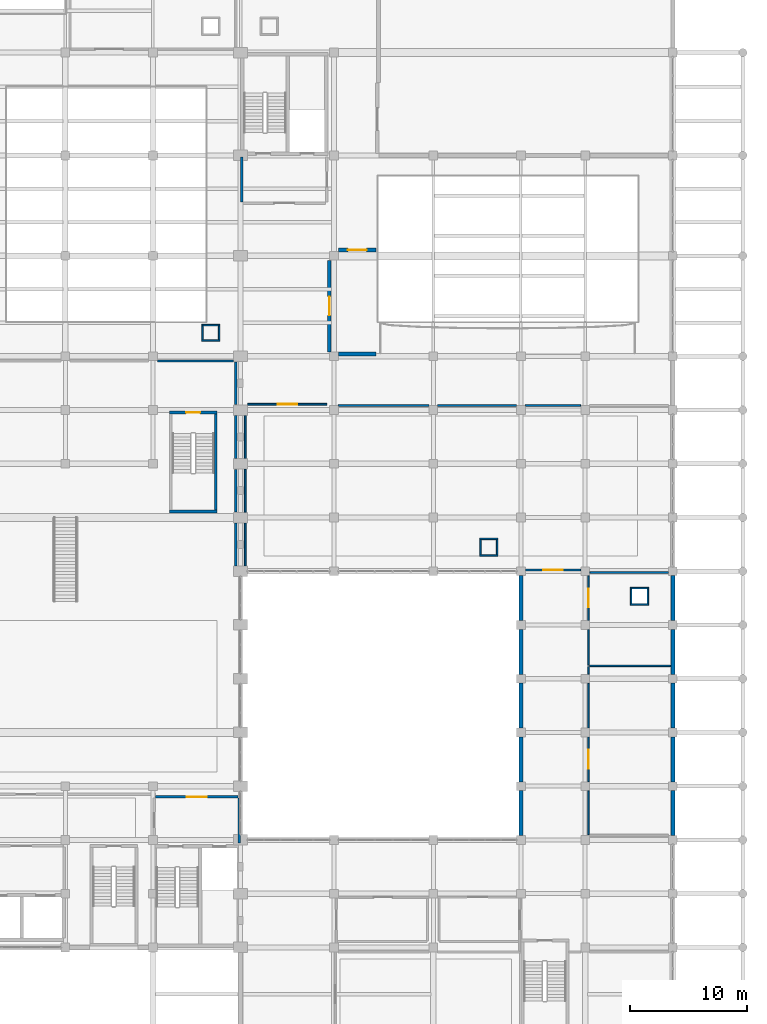
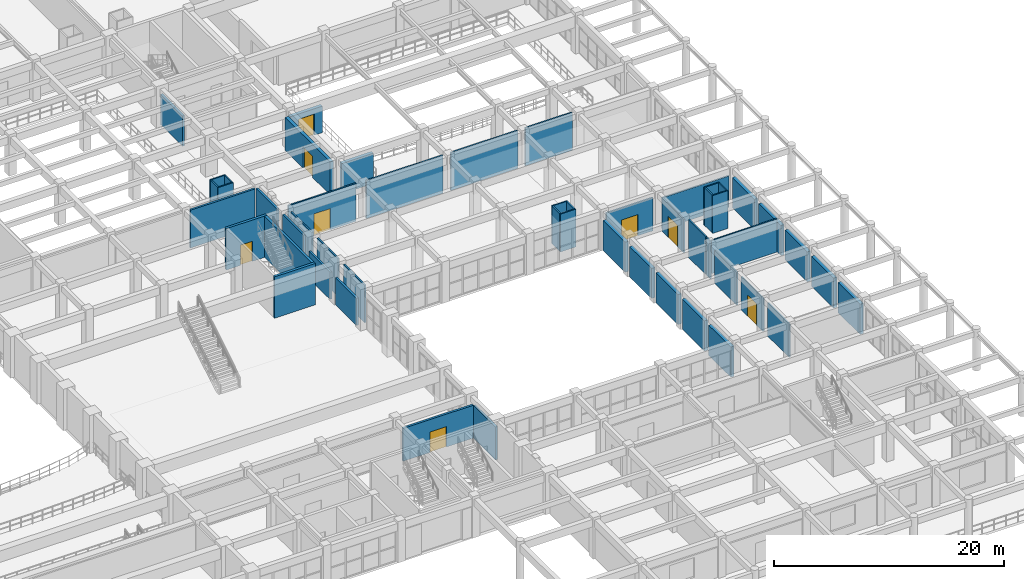
# One storey, part 102 of 116: 52 walls, 8 doors, 8 openings.
"""IFC4 building model written with IfcOpenShell, lengths in metres."""

from ifc_helpers import new_model, si_unit, direction, frame, frame_2d, origin, place, context, subcontext, project, spatial, rectangle, extrude, material, layer, layer_set, type_object, element, fill, save


model = new_model("IFC4")

# Units and contexts
model_context = context("Model", 3, precision=1e-05, world=origin(), true_north=direction((0.0, 1.0)))
body_context = subcontext(model_context, "Body", "Model", "MODEL_VIEW")
ifc_project = project(units=[si_unit("LENGTHUNIT", "METRE"), si_unit("AREAUNIT", "SQUARE_METRE"), si_unit("VOLUMEUNIT", "CUBIC_METRE"), si_unit("PLANEANGLEUNIT", "RADIAN"), si_unit("MASSUNIT", "GRAM", prefix="KILO")], contexts=[model_context])

# Site, building, storey
site_placement = place(None, origin())
site = spatial("IfcSite", under=ifc_project, at=site_placement, CompositionType="ELEMENT")
building_placement = place(site_placement, origin())
building = spatial("IfcBuilding", under=site, at=building_placement, Name="Muzn Square Opera House", CompositionType="ELEMENT")
storey_placement = place(building_placement, frame((0.0, 0.0, 5.39990234375)))
storey = spatial("IfcBuildingStorey", under=building, at=storey_placement, Name="L01", CompositionType="ELEMENT", Elevation=5.39990234375)

# Wall, opening, door
ifc_material_1 = material(Name="Acoustic gypsum stud partition", Category="gypsum")
ifc_layer_1 = layer(ifc_material_1, 0.320068359375, Name="Acoustic gypsum stud partition", Category="gypsum")
ifc_layer_set_1 = layer_set([ifc_layer_1], Name="Acoustic gypsum stud partition")
wall_type_1 = type_object("IfcWallType", Name="Acoustic Studio Double Wall 320mm", PredefinedType="PARTITIONING", material=ifc_layer_set_1)
wall_1_placement = place(storey_placement, frame((140.60009765625, 72.97998046875, 0.0), z_axis=(0.0, 0.0, 1.0), x_axis=(0.0, 1.0, 0.0)))
wall_1 = element("IfcWall", 1, at=wall_1_placement, inside=storey, type_object=wall_type_1, Name="Interior Partition PW-L01-0172", PredefinedType="PARTITIONING", context=body_context, shape_type="SweptSolid", body=[
    extrude(rectangle(XDim=7.840087890625, YDim=0.320068359375, at=frame_2d((3.919921875, 0.0))), origin(), (0.0, 0.0, 1.0), 3.52001953125),
])
opening_1_placement = place(wall_1_placement, frame((3.1201171875, 0.0, 0.0)))
opening_1 = element("IfcOpeningElement", 2, at=opening_1_placement, cuts=wall_1, Name="Opening DR-AU16", PredefinedType="OPENING", context=body_context, shape_type="SweptSolid", body=[
    extrude(rectangle(XDim=1.60009765625, YDim=2.25, at=frame_2d((0.800048828125, 1.125))), frame((0.0, 0.169921875, 0.0), z_axis=(0.0, -1.0, 0.0), x_axis=(1.0, 0.0, 0.0)), (0.0, 0.0, 1.0), 0.340087890625),
])
ifc_material_2 = material(Name="Acoustic hardwood leaf", Category="wood")
door_type_1 = type_object("IfcDoorType", Name="Balcony Acoustic Entry Door 1600x2250", OperationType="DOUBLE_DOOR_SINGLE_SWING", PredefinedType="DOOR", material=ifc_material_2)
door_1_placement = place(opening_1_placement, origin())
door_1 = element("IfcDoor", 3, at=door_1_placement, inside=storey, type_object=door_type_1, Name="Studio Theatre Circle Door DR-L01-0058", OperationType="DOUBLE_DOOR_SINGLE_SWING", OverallHeight=2.25, OverallWidth=1.60009765625, PredefinedType="DOOR", context=body_context, shape_type="SweptSolid", body=[
    extrude(rectangle(XDim=1.60009765625, YDim=2.25, at=frame_2d((0.800048828125, 1.125))), frame((0.0, 0.02490234375, 0.0), z_axis=(0.0, -1.0, 0.0), x_axis=(1.0, 0.0, 0.0)), (0.0, 0.0, 1.0), 0.050048828125),
])
fill(opening_1, door_1)

wall_2_placement = place(storey_placement, frame((141.3798828125, 81.699951171875, 0.0), z_axis=(0.0, 0.0, 1.0), x_axis=(1.0, 0.0, 0.0)))
wall_2 = element("IfcWall", 4, at=wall_2_placement, inside=storey, type_object=wall_type_1, Name="Interior Partition PW-L01-0173", PredefinedType="PARTITIONING", context=body_context, shape_type="SweptSolid", body=[
    extrude(rectangle(XDim=3.22021484375, YDim=0.320068359375, at=frame_2d((1.610107421875, 0.0))), origin(), (0.0, 0.0, 1.0), 2.820068359375),
])
opening_2_placement = place(wall_2_placement, frame((0.8173828125, 0.0, 0.0)))
opening_2 = element("IfcOpeningElement", 5, at=opening_2_placement, cuts=wall_2, Name="Opening DR-AU16", PredefinedType="OPENING", context=body_context, shape_type="SweptSolid", body=[
    extrude(rectangle(XDim=1.60009765625, YDim=2.25, at=frame_2d((0.800048828125, 1.125))), frame((0.0, 0.169921875, 0.0), z_axis=(0.0, -1.0, 0.0), x_axis=(1.0, 0.0, 0.0)), (0.0, 0.0, 1.0), 0.340087890625),
])
door_2_placement = place(opening_2_placement, origin())
door_2 = element("IfcDoor", 6, at=door_2_placement, inside=storey, type_object=door_type_1, Name="Studio Theatre Circle Door DR-L01-0059", OperationType="DOUBLE_DOOR_SINGLE_SWING", OverallHeight=2.25, OverallWidth=1.60009765625, PredefinedType="DOOR", context=body_context, shape_type="SweptSolid", body=[
    extrude(rectangle(XDim=1.60009765625, YDim=2.25, at=frame_2d((0.800048828125, 1.125))), frame((0.0, 0.02490234375, 0.0), z_axis=(0.0, -1.0, 0.0), x_axis=(1.0, 0.0, 0.0)), (0.0, 0.0, 1.0), 0.050048828125),
])
fill(opening_2, door_2)

# Walls
wall_3_placement = place(storey_placement, frame((141.39501953125, 72.800048828125, 0.0), z_axis=(0.0, 0.0, 1.0), x_axis=(1.0, 0.0, 0.0)))
element("IfcWall", 7, at=wall_3_placement, inside=storey, type_object=wall_type_1, Name="Room Enclosure Partition PW-L01-0224", PredefinedType="PARTITIONING", context=body_context, shape_type="SweptSolid", body=[
    extrude(rectangle(XDim=3.205078125, YDim=0.320068359375, at=frame_2d((1.6025390625, 0.0))), origin(), (0.0, 0.0, 1.0), 3.22021484375),
])
ifc_material_3 = material(Name="Concrete C45/55", Category="concrete")
ifc_layer_2 = layer(ifc_material_3, 0.25, Name="Concrete C45/55", Category="concrete")
ifc_layer_set_2 = layer_set([ifc_layer_2], Name="Concrete C45/55")
wall_type_2 = type_object("IfcWallType", Name="Aux Stair Enclosure Wall 250mm", PredefinedType="SHEAR", material=ifc_layer_set_2)
wall_4_placement = place(storey_placement, frame((126.89990234375, 59.324951171875, 0.0), z_axis=(0.0, 0.0, 1.0), x_axis=(1.0, 0.0, 0.0)))
element("IfcWall", 8, at=wall_4_placement, inside=storey, type_object=wall_type_2, Name="Escape Stair ST-10 Wall S L01", PredefinedType="SHEAR", context=body_context, shape_type="SweptSolid", body=[
    extrude(rectangle(XDim=4.10009765625, YDim=0.25, at=frame_2d((2.050048828125, 0.0))), origin(), (0.0, 0.0, 1.0), 4.400146484375),
])
wall_5_placement = place(storey_placement, frame((130.875, 59.449951171875, 0.0), z_axis=(0.0, 0.0, 1.0), x_axis=(0.0, 1.0, 0.0)))
element("IfcWall", 9, at=wall_5_placement, inside=storey, type_object=wall_type_2, Name="Escape Stair ST-10 Wall E L01", PredefinedType="SHEAR", context=body_context, shape_type="SweptSolid", body=[
    extrude(rectangle(XDim=8.199951171875, YDim=0.25, at=frame_2d((4.10009765625, 0.0))), origin(), (0.0, 0.0, 1.0), 4.400146484375),
])

# Wall, opening, door
wall_6_placement = place(storey_placement, frame((126.89990234375, 67.77490234375, 0.0), z_axis=(0.0, 0.0, 1.0), x_axis=(1.0, 0.0, 0.0)))
wall_6 = element("IfcWall", 10, at=wall_6_placement, inside=storey, type_object=wall_type_2, Name="Escape Stair ST-10 Wall N L01", PredefinedType="SHEAR", context=body_context, shape_type="SweptSolid", body=[
    extrude(rectangle(XDim=4.10009765625, YDim=0.25, at=frame_2d((2.050048828125, 0.0))), origin(), (0.0, 0.0, 1.0), 4.400146484375),
])
opening_3_placement = place(wall_6_placement, frame((1.449951171875, 0.0, 0.0)))
opening_3 = element("IfcOpeningElement", 11, at=opening_3_placement, cuts=wall_6, Name="Opening DR-ST12", PredefinedType="OPENING", context=body_context, shape_type="SweptSolid", body=[
    extrude(rectangle(XDim=1.199951171875, YDim=2.14990234375, at=frame_2d((0.60009765625, 1.074951171875))), frame((0.0, 0.135009765625, 0.0), z_axis=(0.0, -1.0, 0.0), x_axis=(1.0, 0.0, 0.0)), (0.0, 0.0, 1.0), 0.27001953125),
])
ifc_material_4 = material(Name="Galvanised painted steel leaf", Category="metal")
door_type_2 = type_object("IfcDoorType", Name="Core Stair Fire Door 1200x2150", OperationType="NOTDEFINED", PredefinedType="DOOR", material=ifc_material_4)
door_3_placement = place(opening_3_placement, origin())
door_3 = element("IfcDoor", 12, at=door_3_placement, inside=storey, type_object=door_type_2, Name="Escape Stair ST-10 Door L01", OperationType="SINGLE_SWING_RIGHT", OverallHeight=2.14990234375, OverallWidth=1.199951171875, PredefinedType="DOOR", context=body_context, shape_type="SweptSolid", body=[
    extrude(rectangle(XDim=1.199951171875, YDim=2.14990234375, at=frame_2d((0.60009765625, 1.074951171875))), frame((0.0, 0.02490234375, 0.0), z_axis=(0.0, -1.0, 0.0), x_axis=(1.0, 0.0, 0.0)), (0.0, 0.0, 1.0), 0.050048828125),
])
fill(opening_3, door_3)

# Walls
ifc_layer_3 = layer(ifc_material_1, 0.199951171875, Name="Acoustic gypsum stud partition", Category="gypsum")
ifc_layer_set_3 = layer_set([ifc_layer_3], Name="Acoustic gypsum stud partition")
wall_type_3 = type_object("IfcWallType", Name="Corridor Rated Partition 200mm", PredefinedType="PARTITIONING", material=ifc_layer_set_3)
wall_7_placement = place(storey_placement, frame((125.8798828125, 72.199951171875, 0.0), z_axis=(0.0, 0.0, 1.0), x_axis=(1.0, 0.0, 0.0)))
element("IfcWall", 13, at=wall_7_placement, inside=storey, type_object=wall_type_3, Name="Room Enclosure Partition PW-L01-0202", PredefinedType="PARTITIONING", context=body_context, shape_type="SweptSolid", body=[
    extrude(rectangle(XDim=6.5, YDim=0.199951171875, at=frame_2d((3.25, 0.0))), origin(), (0.0, 0.0, 1.0), 4.02001953125),
])
wall_8_placement = place(storey_placement, frame((132.60009765625, 54.669921875, 0.0), z_axis=(0.0, 0.0, 1.0), x_axis=(0.0, 1.0, 0.0)))
element("IfcWall", 14, at=wall_8_placement, inside=storey, type_object=wall_type_3, Name="Room Enclosure Partition PW-L01-0204", PredefinedType="PARTITIONING", context=body_context, shape_type="SweptSolid", body=[
    extrude(rectangle(XDim=3.66015625, YDim=0.199951171875, at=frame_2d((1.830078125, 0.0))), origin(), (0.0, 0.0, 1.0), 2.900146484375),
])
wall_9_placement = place(storey_placement, frame((132.60009765625, 59.27001953125, 0.0), z_axis=(0.0, 0.0, 1.0), x_axis=(0.0, 1.0, 0.0)))
element("IfcWall", 15, at=wall_9_placement, inside=storey, type_object=wall_type_3, Name="Room Enclosure Partition PW-L01-0205", PredefinedType="PARTITIONING", context=body_context, shape_type="SweptSolid", body=[
    extrude(rectangle(XDim=3.659912109375, YDim=0.199951171875, at=frame_2d((1.830078125, 0.0))), origin(), (0.0, 0.0, 1.0), 2.900146484375),
])
for number, where, z_axis, x_axis, name in (
    (16, (132.60009765625, 63.8701171875, 0.0), (0.0, 0.0, 1.0), (0.0, 1.0, 0.0), "Room Enclosure Partition PW-L01-0206"),
    (17, (132.60009765625, 68.469970703125, 0.0), (0.0, 0.0, 1.0), (0.0, 1.0, 0.0), "Room Enclosure Partition PW-L01-0207"),
):
    element("IfcWall", number, at=place(storey_placement, frame(where, z_axis=z_axis, x_axis=x_axis)), inside=storey, type_object=wall_type_3, Name=name, PredefinedType="PARTITIONING", context=body_context, shape_type="SweptSolid", body=[
        extrude(rectangle(XDim=3.659912109375, YDim=0.199951171875, at=frame_2d((1.830078125, 0.0))), origin(), (0.0, 0.0, 1.0), 4.02001953125),
    ])
ifc_material_5 = material(Name="Concrete C40/50", Category="concrete")
ifc_layer_4 = layer(ifc_material_5, 0.340087890625, Name="Concrete C40/50", Category="concrete")
ifc_layer_set_4 = layer_set([ifc_layer_4], Name="Concrete C40/50")
wall_type_4 = type_object("IfcWallType", Name="Exterior Insulated Spandrel Wall 340mm", PredefinedType="SOLIDWALL", material=ifc_layer_set_4)
wall_10_placement = place(storey_placement, frame((170.0, 31.574951171875, 0.0), z_axis=(0.0, 0.0, 1.0), x_axis=(0.0, 1.0, 0.0)))
element("IfcWall", 18, at=wall_10_placement, inside=storey, type_object=wall_type_4, Name="Exterior Facade Wall EW-L01-160", PredefinedType="SOLIDWALL", context=body_context, shape_type="SweptSolid", body=[
    extrude(rectangle(XDim=3.85009765625, YDim=0.340087890625, at=frame_2d((1.925048828125, 0.0))), origin(), (0.0, 0.0, 1.0), 3.2001953125),
])
wall_11_placement = place(storey_placement, frame((170.0, 36.175048828125, 0.0), z_axis=(0.0, 0.0, 1.0), x_axis=(0.0, 1.0, 0.0)))
element("IfcWall", 19, at=wall_11_placement, inside=storey, type_object=wall_type_4, Name="Exterior Facade Wall EW-L01-161", PredefinedType="SOLIDWALL", context=body_context, shape_type="SweptSolid", body=[
    extrude(rectangle(XDim=3.849853515625, YDim=0.340087890625, at=frame_2d((1.9248046875, 0.0))), origin(), (0.0, 0.0, 1.0), 3.2001953125),
])
for number, where, z_axis, x_axis, name in (
    (20, (170.0, 40.77490234375, 0.0), (0.0, 0.0, 1.0), (0.0, 1.0, 0.0), "Exterior Facade Wall EW-L01-162"),
    (21, (170.0, 45.375, 0.0), (0.0, 0.0, 1.0), (0.0, 1.0, 0.0), "Exterior Facade Wall EW-L01-163"),
):
    element("IfcWall", number, at=place(storey_placement, frame(where, z_axis=z_axis, x_axis=x_axis)), inside=storey, type_object=wall_type_4, Name=name, PredefinedType="SOLIDWALL", context=body_context, shape_type="SweptSolid", body=[
        extrude(rectangle(XDim=3.85009765625, YDim=0.340087890625, at=frame_2d((1.925048828125, 0.0))), origin(), (0.0, 0.0, 1.0), 3.2001953125),
    ])
wall_12_placement = place(storey_placement, frame((170.0, 49.97509765625, 0.0), z_axis=(0.0, 0.0, 1.0), x_axis=(0.0, 1.0, 0.0)))
element("IfcWall", 22, at=wall_12_placement, inside=storey, type_object=wall_type_4, Name="Exterior Facade Wall EW-L01-164", PredefinedType="SOLIDWALL", context=body_context, shape_type="SweptSolid", body=[
    extrude(rectangle(XDim=3.849853515625, YDim=0.340087890625, at=frame_2d((1.9248046875, 0.0))), origin(), (0.0, 0.0, 1.0), 3.2001953125),
])
wall_13_placement = place(storey_placement, frame((157.0, 31.574951171875, 0.0), z_axis=(0.0, 0.0, 1.0), x_axis=(0.0, 1.0, 0.0)))
element("IfcWall", 23, at=wall_13_placement, inside=storey, type_object=wall_type_4, Name="Exterior Facade Wall EW-L01-175", PredefinedType="SOLIDWALL", context=body_context, shape_type="SweptSolid", body=[
    extrude(rectangle(XDim=3.85009765625, YDim=0.340087890625, at=frame_2d((1.925048828125, 0.0))), origin(), (0.0, 0.0, 1.0), 3.2001953125),
])
wall_14_placement = place(storey_placement, frame((157.0, 36.175048828125, 0.0), z_axis=(0.0, 0.0, 1.0), x_axis=(0.0, 1.0, 0.0)))
element("IfcWall", 24, at=wall_14_placement, inside=storey, type_object=wall_type_4, Name="Exterior Facade Wall EW-L01-176", PredefinedType="SOLIDWALL", context=body_context, shape_type="SweptSolid", body=[
    extrude(rectangle(XDim=3.849853515625, YDim=0.340087890625, at=frame_2d((1.9248046875, 0.0))), origin(), (0.0, 0.0, 1.0), 3.2001953125),
])
for number, where, z_axis, x_axis, name in (
    (25, (157.0, 40.77490234375, 0.0), (0.0, 0.0, 1.0), (0.0, 1.0, 0.0), "Exterior Facade Wall EW-L01-177"),
    (26, (157.0, 45.375, 0.0), (0.0, 0.0, 1.0), (0.0, 1.0, 0.0), "Exterior Facade Wall EW-L01-178"),
):
    element("IfcWall", number, at=place(storey_placement, frame(where, z_axis=z_axis, x_axis=x_axis)), inside=storey, type_object=wall_type_4, Name=name, PredefinedType="SOLIDWALL", context=body_context, shape_type="SweptSolid", body=[
        extrude(rectangle(XDim=3.85009765625, YDim=0.340087890625, at=frame_2d((1.925048828125, 0.0))), origin(), (0.0, 0.0, 1.0), 3.2001953125),
    ])
wall_15_placement = place(storey_placement, frame((157.0, 49.97509765625, 0.0), z_axis=(0.0, 0.0, 1.0), x_axis=(0.0, 1.0, 0.0)))
element("IfcWall", 27, at=wall_15_placement, inside=storey, type_object=wall_type_4, Name="Exterior Facade Wall EW-L01-179", PredefinedType="SOLIDWALL", context=body_context, shape_type="SweptSolid", body=[
    extrude(rectangle(XDim=3.849853515625, YDim=0.340087890625, at=frame_2d((1.9248046875, 0.0))), origin(), (0.0, 0.0, 1.0), 3.2001953125),
])

# Wall, opening, door
ifc_layer_5 = layer(ifc_material_5, 0.219970703125, Name="Concrete C40/50", Category="concrete")
ifc_layer_set_5 = layer_set([ifc_layer_5], Name="Concrete C40/50")
wall_type_5 = type_object("IfcWallType", Name="Lift Lobby Wall 220mm", PredefinedType="SOLIDWALL", material=ifc_layer_set_5)
wall_16_placement = place(storey_placement, frame((125.719970703125, 34.889892578125, 0.0), z_axis=(0.0, 0.0, 1.0), x_axis=(1.0, 0.0, 0.0)))
wall_16 = element("IfcWall", 28, at=wall_16_placement, inside=storey, type_object=wall_type_5, Name="Lobby C4 Enclosure Wall L01", PredefinedType="SOLIDWALL", context=body_context, shape_type="SweptSolid", body=[
    extrude(rectangle(XDim=7.06005859375, YDim=0.219970703125, at=frame_2d((3.530029296875, 0.0))), origin(), (0.0, 0.0, 1.0), 3.5),
])
opening_4_placement = place(wall_16_placement, frame((2.679931640625, 0.0, 0.0)))
opening_4 = element("IfcOpeningElement", 29, at=opening_4_placement, cuts=wall_16, Name="Opening DR-LL17", PredefinedType="OPENING", context=body_context, shape_type="SweptSolid", body=[
    extrude(rectangle(XDim=1.699951171875, YDim=2.179931640625, at=frame_2d((0.85009765625, 1.08984375))), frame((0.0, 0.119873046875, 0.0), z_axis=(0.0, -1.0, 0.0), x_axis=(1.0, 0.0, 0.0)), (0.0, 0.0, 1.0), 0.239990234375),
])
door_type_3 = type_object("IfcDoorType", Name="Lift Lobby Double Door 1700x2180", OperationType="DOUBLE_DOOR_SINGLE_SWING", PredefinedType="DOOR", material=ifc_material_2)
door_4_placement = place(opening_4_placement, origin())
door_4 = element("IfcDoor", 30, at=door_4_placement, inside=storey, type_object=door_type_3, Name="Lobby C4 Fire Door L01", OperationType="DOUBLE_DOOR_SINGLE_SWING", OverallHeight=2.179931640625, OverallWidth=1.699951171875, PredefinedType="DOOR", context=body_context, shape_type="SweptSolid", body=[
    extrude(rectangle(XDim=1.699951171875, YDim=2.179931640625, at=frame_2d((0.85009765625, 1.08984375))), frame((0.0, 0.02490234375, 0.0), z_axis=(0.0, -1.0, 0.0), x_axis=(1.0, 0.0, 0.0)), (0.0, 0.0, 1.0), 0.050048828125),
])
fill(opening_4, door_4)

# Walls
wall_17_placement = place(storey_placement, frame((132.889892578125, 30.949951171875, 0.0), z_axis=(0.0, 0.0, 1.0), x_axis=(0.0, 1.0, 0.0)))
element("IfcWall", 31, at=wall_17_placement, inside=storey, type_object=wall_type_5, Name="Lobby C4 Side Wall E L01", PredefinedType="SOLIDWALL", context=body_context, shape_type="SweptSolid", body=[
    extrude(rectangle(XDim=3.830078125, YDim=0.219970703125, at=frame_2d((1.9150390625, 0.0))), origin(), (0.0, 0.0, 1.0), 3.5),
])
wall_18_placement = place(storey_placement, frame((133.110107421875, 85.820068359375, 0.0), z_axis=(0.0, 0.0, 1.0), x_axis=(0.0, 1.0, 0.0)))
element("IfcWall", 32, at=wall_18_placement, inside=storey, type_object=wall_type_5, Name="Lobby C5 Side Wall W L01", PredefinedType="SOLIDWALL", context=body_context, shape_type="SweptSolid", body=[
    extrude(rectangle(XDim=3.829833984375, YDim=0.219970703125, at=frame_2d((1.9150390625, 0.0))), origin(), (0.0, 0.0, 1.0), 3.22021484375),
])
ifc_layer_6 = layer(ifc_material_1, 0.14990234375, Name="Acoustic gypsum stud partition", Category="gypsum")
ifc_layer_set_6 = layer_set([ifc_layer_6], Name="Acoustic gypsum stud partition")
wall_type_6 = type_object("IfcWallType", Name="Office Acoustic Partition 150mm", PredefinedType="PARTITIONING", material=ifc_layer_set_6)
wall_19_placement = place(storey_placement, frame((162.89990234375, 54.10009765625, 0.0), z_axis=(0.0, 0.0, 1.0), x_axis=(1.0, 0.0, 0.0)))
element("IfcWall", 33, at=wall_19_placement, inside=storey, type_object=wall_type_6, Name="Interior Partition PW-L01-0158", PredefinedType="PARTITIONING", context=body_context, shape_type="SweptSolid", body=[
    extrude(rectangle(XDim=6.72021484375, YDim=0.14990234375, at=frame_2d((3.360107421875, 0.0))), origin(), (0.0, 0.0, 1.0), 3.330078125),
])

# Wall, opening, door
wall_20_placement = place(storey_placement, frame((133.60498046875, 68.5, 0.0), z_axis=(0.0, 0.0, 1.0), x_axis=(1.0, 0.0, 0.0)))
wall_20 = element("IfcWall", 34, at=wall_20_placement, inside=storey, type_object=wall_type_6, Name="Interior Partition PW-L01-0159", PredefinedType="PARTITIONING", context=body_context, shape_type="SweptSolid", body=[
    extrude(rectangle(XDim=6.794921875, YDim=0.14990234375, at=frame_2d((3.3974609375, 0.0))), origin(), (0.0, 0.0, 1.0), 4.02001953125),
])
opening_5_placement = place(wall_20_placement, frame((2.580078125, 0.0, 0.0)))
opening_5 = element("IfcOpeningElement", 35, at=opening_5_placement, cuts=wall_20, Name="Opening DR-RS16", PredefinedType="OPENING", context=body_context, shape_type="SweptSolid", body=[
    extrude(rectangle(XDim=1.64990234375, YDim=2.25, at=frame_2d((0.824951171875, 1.125))), frame((0.0, 0.0849609375, 0.0), z_axis=(0.0, -1.0, 0.0), x_axis=(1.0, 0.0, 0.0)), (0.0, 0.0, 1.0), 0.169921875),
])
door_type_4 = type_object("IfcDoorType", Name="Restaurant Double Door 1650x2250", OperationType="DOUBLE_DOOR_SINGLE_SWING", PredefinedType="DOOR", material=ifc_material_2)
door_5_placement = place(opening_5_placement, origin())
door_5 = element("IfcDoor", 36, at=door_5_placement, inside=storey, type_object=door_type_4, Name="Fine-Dining Restaurant Door DR-L01-0050", OperationType="DOUBLE_DOOR_SINGLE_SWING", OverallHeight=2.25, OverallWidth=1.64990234375, PredefinedType="DOOR", context=body_context, shape_type="SweptSolid", body=[
    extrude(rectangle(XDim=1.64990234375, YDim=2.25, at=frame_2d((0.824951171875, 1.125))), frame((0.0, 0.02490234375, 0.0), z_axis=(0.0, -1.0, 0.0), x_axis=(1.0, 0.0, 0.0)), (0.0, 0.0, 1.0), 0.050048828125),
])
fill(opening_5, door_5)

wall_21_placement = place(storey_placement, frame((157.39501953125, 54.300048828125, 0.0), z_axis=(0.0, 0.0, 1.0), x_axis=(1.0, 0.0, 0.0)))
wall_21 = element("IfcWall", 37, at=wall_21_placement, inside=storey, type_object=wall_type_6, Name="Interior Partition PW-L01-0160", PredefinedType="PARTITIONING", context=body_context, shape_type="SweptSolid", body=[
    extrude(rectangle(XDim=4.7099609375, YDim=0.14990234375, at=frame_2d((2.35498046875, 0.0))), origin(), (0.0, 0.0, 1.0), 3.530029296875),
])
opening_6_placement = place(wall_21_placement, frame((1.530029296875, 0.0, 0.0)))
opening_6 = element("IfcOpeningElement", 38, at=opening_6_placement, cuts=wall_21, Name="Opening DR-RS16", PredefinedType="OPENING", context=body_context, shape_type="SweptSolid", body=[
    extrude(rectangle(XDim=1.64990234375, YDim=2.25, at=frame_2d((0.824951171875, 1.125))), frame((0.0, 0.0849609375, 0.0), z_axis=(0.0, -1.0, 0.0), x_axis=(1.0, 0.0, 0.0)), (0.0, 0.0, 1.0), 0.169921875),
])
door_6_placement = place(opening_6_placement, origin())
door_6 = element("IfcDoor", 39, at=door_6_placement, inside=storey, type_object=door_type_4, Name="Fine-Dining Restaurant Door DR-L01-0051", OperationType="DOUBLE_DOOR_SINGLE_SWING", OverallHeight=2.25, OverallWidth=1.64990234375, PredefinedType="DOOR", context=body_context, shape_type="SweptSolid", body=[
    extrude(rectangle(XDim=1.64990234375, YDim=2.25, at=frame_2d((0.824951171875, 1.125))), frame((0.0, 0.02490234375, 0.0), z_axis=(0.0, -1.0, 0.0), x_axis=(1.0, 0.0, 0.0)), (0.0, 0.0, 1.0), 0.050048828125),
])
fill(opening_6, door_6)

# Walls
wall_22_placement = place(storey_placement, frame((141.3798828125, 68.39990234375, 0.0), z_axis=(0.0, 0.0, 1.0), x_axis=(1.0, 0.0, 0.0)))
element("IfcWall", 40, at=wall_22_placement, inside=storey, type_object=wall_type_6, Name="Room Enclosure Partition PW-L01-0212", PredefinedType="PARTITIONING", context=body_context, shape_type="SweptSolid", body=[
    extrude(rectangle(XDim=7.740234375, YDim=0.14990234375, at=frame_2d((3.8701171875, 0.0))), origin(), (0.0, 0.0, 1.0), 4.02001953125),
])
wall_23_placement = place(storey_placement, frame((149.8798828125, 68.39990234375, 0.0), z_axis=(0.0, 0.0, 1.0), x_axis=(1.0, 0.0, 0.0)))
element("IfcWall", 41, at=wall_23_placement, inside=storey, type_object=wall_type_6, Name="Room Enclosure Partition PW-L01-0213", PredefinedType="PARTITIONING", context=body_context, shape_type="SweptSolid", body=[
    extrude(rectangle(XDim=6.740234375, YDim=0.14990234375, at=frame_2d((3.3701171875, 0.0))), origin(), (0.0, 0.0, 1.0), 4.02001953125),
])
wall_24_placement = place(storey_placement, frame((157.3798828125, 68.39990234375, 0.0), z_axis=(0.0, 0.0, 1.0), x_axis=(1.0, 0.0, 0.0)))
element("IfcWall", 42, at=wall_24_placement, inside=storey, type_object=wall_type_6, Name="Room Enclosure Partition PW-L01-0214", PredefinedType="PARTITIONING", context=body_context, shape_type="SweptSolid", body=[
    extrude(rectangle(XDim=4.740234375, YDim=0.14990234375, at=frame_2d((2.3701171875, 0.0))), origin(), (0.0, 0.0, 1.0), 4.02001953125),
])
wall_25_placement = place(storey_placement, frame((133.39990234375, 54.669921875, 0.0), z_axis=(0.0, 0.0, 1.0), x_axis=(0.0, 1.0, 0.0)))
element("IfcWall", 43, at=wall_25_placement, inside=storey, type_object=wall_type_6, Name="Room Enclosure Partition PW-L01-0216", PredefinedType="PARTITIONING", context=body_context, shape_type="SweptSolid", body=[
    extrude(rectangle(XDim=3.66015625, YDim=0.14990234375, at=frame_2d((1.830078125, 0.0))), origin(), (0.0, 0.0, 1.0), 4.02001953125),
])
for number, where, z_axis, x_axis, name in (
    (44, (133.39990234375, 59.27001953125, 0.0), (0.0, 0.0, 1.0), (0.0, 1.0, 0.0), "Room Enclosure Partition PW-L01-0217"),
    (45, (133.39990234375, 63.8701171875, 0.0), (0.0, 0.0, 1.0), (0.0, 1.0, 0.0), "Room Enclosure Partition PW-L01-0218"),
):
    element("IfcWall", number, at=place(storey_placement, frame(where, z_axis=z_axis, x_axis=x_axis)), inside=storey, type_object=wall_type_6, Name=name, PredefinedType="PARTITIONING", context=body_context, shape_type="SweptSolid", body=[
        extrude(rectangle(XDim=3.659912109375, YDim=0.14990234375, at=frame_2d((1.830078125, 0.0))), origin(), (0.0, 0.0, 1.0), 4.02001953125),
    ])
ifc_layer_7 = layer(ifc_material_1, 0.1298828125, Name="Acoustic gypsum stud partition", Category="gypsum")
ifc_layer_set_7 = layer_set([ifc_layer_7], Name="Acoustic gypsum stud partition")
wall_type_7 = type_object("IfcWallType", Name="Service Closet Partition 130mm", PredefinedType="PARTITIONING", material=ifc_layer_set_7)
for number, where, z_axis, x_axis, name in (
    (46, (166.3701171875, 51.3349609375, 0.0), (0.0, 0.0, 1.0), (1.0, 0.0, 0.0), "MEP Riser Shaft Wall RSR-EO L01-S"),
    (47, (166.3701171875, 52.764892578125, 0.0), (0.0, 0.0, 1.0), (1.0, 0.0, 0.0), "MEP Riser Shaft Wall RSR-EO L01-N"),
):
    element("IfcWall", number, at=place(storey_placement, frame(where, z_axis=z_axis, x_axis=x_axis)), inside=storey, type_object=wall_type_7, Name=name, PredefinedType="PARTITIONING", context=body_context, shape_type="SweptSolid", body=[
        extrude(rectangle(XDim=1.559814453125, YDim=0.1298828125, at=frame_2d((0.77978515625, 0.0))), origin(), (0.0, 0.0, 1.0), 4.02001953125),
    ])
for number, where, z_axis, x_axis, name in (
    (48, (166.43505859375, 51.39990234375, 0.0), (0.0, 0.0, 1.0), (0.0, 1.0, 0.0), "MEP Riser Shaft Wall RSR-EO L01-W"),
    (49, (167.864990234375, 51.39990234375, 0.0), (0.0, 0.0, 1.0), (0.0, 1.0, 0.0), "MEP Riser Shaft Wall RSR-EO L01-E"),
):
    element("IfcWall", number, at=place(storey_placement, frame(where, z_axis=z_axis, x_axis=x_axis)), inside=storey, type_object=wall_type_7, Name=name, PredefinedType="PARTITIONING", context=body_context, shape_type="SweptSolid", body=[
        extrude(rectangle(XDim=1.300048828125, YDim=0.1298828125, at=frame_2d((0.64990234375, 0.0))), origin(), (0.0, 0.0, 1.0), 4.02001953125),
    ])
for number, where, z_axis, x_axis, name in (
    (50, (153.469970703125, 55.534912109375, 0.0), (0.0, 0.0, 1.0), (1.0, 0.0, 0.0), "MEP Riser Shaft Wall RSR-EM L01-S"),
    (51, (153.469970703125, 56.965087890625, 0.0), (0.0, 0.0, 1.0), (1.0, 0.0, 0.0), "MEP Riser Shaft Wall RSR-EM L01-N"),
):
    element("IfcWall", number, at=place(storey_placement, frame(where, z_axis=z_axis, x_axis=x_axis)), inside=storey, type_object=wall_type_7, Name=name, PredefinedType="PARTITIONING", context=body_context, shape_type="SweptSolid", body=[
        extrude(rectangle(XDim=1.56005859375, YDim=0.1298828125, at=frame_2d((0.780029296875, 0.0))), origin(), (0.0, 0.0, 1.0), 4.02001953125),
    ])
for number, where, z_axis, x_axis, name in (
    (52, (153.534912109375, 55.60009765625, 0.0), (0.0, 0.0, 1.0), (0.0, 1.0, 0.0), "MEP Riser Shaft Wall RSR-EM L01-W"),
    (53, (154.965087890625, 55.60009765625, 0.0), (0.0, 0.0, 1.0), (0.0, 1.0, 0.0), "MEP Riser Shaft Wall RSR-EM L01-E"),
):
    element("IfcWall", number, at=place(storey_placement, frame(where, z_axis=z_axis, x_axis=x_axis)), inside=storey, type_object=wall_type_7, Name=name, PredefinedType="PARTITIONING", context=body_context, shape_type="SweptSolid", body=[
        extrude(rectangle(XDim=1.2998046875, YDim=0.1298828125, at=frame_2d((0.64990234375, 0.0))), origin(), (0.0, 0.0, 1.0), 4.02001953125),
    ])
for number, where, z_axis, x_axis, name in (
    (54, (129.669921875, 73.93505859375, 0.0), (0.0, 0.0, 1.0), (1.0, 0.0, 0.0), "MEP Riser Shaft Wall RSR-SE L01-S"),
    (55, (129.669921875, 75.264892578125, 0.0), (0.0, 0.0, 1.0), (1.0, 0.0, 0.0), "MEP Riser Shaft Wall RSR-SE L01-N"),
):
    element("IfcWall", number, at=place(storey_placement, frame(where, z_axis=z_axis, x_axis=x_axis)), inside=storey, type_object=wall_type_7, Name=name, PredefinedType="PARTITIONING", context=body_context, shape_type="SweptSolid", body=[
        extrude(rectangle(XDim=1.56005859375, YDim=0.1298828125, at=frame_2d((0.780029296875, 0.0))), origin(), (0.0, 0.0, 1.0), 4.02001953125),
    ])
for number, where, z_axis, x_axis, name in (
    (56, (129.735107421875, 74.0, 0.0), (0.0, 0.0, 1.0), (0.0, 1.0, 0.0), "MEP Riser Shaft Wall RSR-SE L01-W"),
    (57, (131.1650390625, 74.0, 0.0), (0.0, 0.0, 1.0), (0.0, 1.0, 0.0), "MEP Riser Shaft Wall RSR-SE L01-E"),
):
    element("IfcWall", number, at=place(storey_placement, frame(where, z_axis=z_axis, x_axis=x_axis)), inside=storey, type_object=wall_type_7, Name=name, PredefinedType="PARTITIONING", context=body_context, shape_type="SweptSolid", body=[
        extrude(rectangle(XDim=1.199951171875, YDim=0.1298828125, at=frame_2d((0.60009765625, 0.0))), origin(), (0.0, 0.0, 1.0), 4.02001953125),
    ])
ifc_layer_8 = layer(ifc_material_1, 0.139892578125, Name="Acoustic gypsum stud partition", Category="gypsum")
ifc_layer_set_8 = layer_set([ifc_layer_8], Name="Acoustic gypsum stud partition")
wall_type_8 = type_object("IfcWallType", Name="Wet Room Tile Partition 140mm", PredefinedType="PARTITIONING", material=ifc_layer_set_8)
wall_26_placement = place(storey_placement, frame((162.875, 46.10009765625, 0.0), z_axis=(0.0, 0.0, 1.0), x_axis=(1.0, 0.0, 0.0)))
element("IfcWall", 58, at=wall_26_placement, inside=storey, type_object=wall_type_8, Name="Interior Partition PW-L01-0161", PredefinedType="PARTITIONING", context=body_context, shape_type="SweptSolid", body=[
    extrude(rectangle(XDim=6.949951171875, YDim=0.139892578125, at=frame_2d((3.47509765625, 0.0))), origin(), (0.0, 0.0, 1.0), 3.530029296875),
])

# Wall, opening, door
wall_27_placement = place(storey_placement, frame((162.800048828125, 36.195068359375, 0.0), z_axis=(0.0, 0.0, 1.0), x_axis=(0.0, 1.0, 0.0)))
wall_27 = element("IfcWall", 59, at=wall_27_placement, inside=storey, type_object=wall_type_8, Name="Interior Partition PW-L01-0162", PredefinedType="PARTITIONING", context=body_context, shape_type="SweptSolid", body=[
    extrude(rectangle(XDim=3.809814453125, YDim=0.139892578125, at=frame_2d((1.90478515625, 0.0))), origin(), (0.0, 0.0, 1.0), 3.530029296875),
])
opening_7_placement = place(wall_27_placement, frame((1.080078125, 0.0, 0.0)))
opening_7 = element("IfcOpeningElement", 60, at=opening_7_placement, cuts=wall_27, Name="Opening DR-RS16", PredefinedType="OPENING", context=body_context, shape_type="SweptSolid", body=[
    extrude(rectangle(XDim=1.64990234375, YDim=2.25, at=frame_2d((0.824951171875, 1.125))), frame((0.0, 0.079833984375, 0.0), z_axis=(0.0, -1.0, 0.0), x_axis=(1.0, 0.0, 0.0)), (0.0, 0.0, 1.0), 0.159912109375),
])
door_7_placement = place(opening_7_placement, origin())
door_7 = element("IfcDoor", 61, at=door_7_placement, inside=storey, type_object=door_type_4, Name="Restaurant Banqueting Kitchen Door DR-L01-0052", OperationType="DOUBLE_DOOR_SINGLE_SWING", OverallHeight=2.25, OverallWidth=1.64990234375, PredefinedType="DOOR", context=body_context, shape_type="SweptSolid", body=[
    extrude(rectangle(XDim=1.64990234375, YDim=2.25, at=frame_2d((0.824951171875, 1.125))), frame((0.0, 0.02490234375, 0.0), z_axis=(0.0, -1.0, 0.0), x_axis=(1.0, 0.0, 0.0)), (0.0, 0.0, 1.0), 0.050048828125),
])
fill(opening_7, door_7)

# Walls
wall_28_placement = place(storey_placement, frame((162.800048828125, 40.794921875, 0.0), z_axis=(0.0, 0.0, 1.0), x_axis=(0.0, 1.0, 0.0)))
element("IfcWall", 62, at=wall_28_placement, inside=storey, type_object=wall_type_8, Name="Interior Partition PW-L01-0163", PredefinedType="PARTITIONING", context=body_context, shape_type="SweptSolid", body=[
    extrude(rectangle(XDim=3.81005859375, YDim=0.139892578125, at=frame_2d((1.905029296875, 0.0))), origin(), (0.0, 0.0, 1.0), 3.530029296875),
])
wall_29_placement = place(storey_placement, frame((162.800048828125, 31.655029296875, 0.0), z_axis=(0.0, 0.0, 1.0), x_axis=(0.0, 1.0, 0.0)))
element("IfcWall", 63, at=wall_29_placement, inside=storey, type_object=wall_type_8, Name="Interior Partition PW-L01-0164", PredefinedType="PARTITIONING", context=body_context, shape_type="SweptSolid", body=[
    extrude(rectangle(XDim=3.75, YDim=0.139892578125, at=frame_2d((1.875, 0.0))), origin(), (0.0, 0.0, 1.0), 3.530029296875),
])

# Wall, opening, door
wall_30_placement = place(storey_placement, frame((162.800048828125, 49.9951171875, 0.0), z_axis=(0.0, 0.0, 1.0), x_axis=(0.0, 1.0, 0.0)))
wall_30 = element("IfcWall", 64, at=wall_30_placement, inside=storey, type_object=wall_type_8, Name="Interior Partition PW-L01-0166", PredefinedType="PARTITIONING", context=body_context, shape_type="SweptSolid", body=[
    extrude(rectangle(XDim=3.804931640625, YDim=0.139892578125, at=frame_2d((1.90234375, 0.0))), origin(), (0.0, 0.0, 1.0), 3.530029296875),
])
opening_8_placement = place(wall_30_placement, frame((1.1025390625, 0.0, 0.0)))
opening_8 = element("IfcOpeningElement", 65, at=opening_8_placement, cuts=wall_30, Name="Opening DR-AU16", PredefinedType="OPENING", context=body_context, shape_type="SweptSolid", body=[
    extrude(rectangle(XDim=1.60009765625, YDim=2.25, at=frame_2d((0.800048828125, 1.125))), frame((0.0, 0.079833984375, 0.0), z_axis=(0.0, -1.0, 0.0), x_axis=(1.0, 0.0, 0.0)), (0.0, 0.0, 1.0), 0.159912109375),
])
door_8_placement = place(opening_8_placement, origin())
door_8 = element("IfcDoor", 66, at=door_8_placement, inside=storey, type_object=door_type_1, Name="Dress Circle Public WC Door DR-L01-0053", OperationType="DOUBLE_DOOR_SINGLE_SWING", OverallHeight=2.25, OverallWidth=1.60009765625, PredefinedType="DOOR", context=body_context, shape_type="SweptSolid", body=[
    extrude(rectangle(XDim=1.60009765625, YDim=2.25, at=frame_2d((0.800048828125, 1.125))), frame((0.0, 0.02490234375, 0.0), z_axis=(0.0, -1.0, 0.0), x_axis=(1.0, 0.0, 0.0)), (0.0, 0.0, 1.0), 0.050048828125),
])
fill(opening_8, door_8)

# Walls
wall_31_placement = place(storey_placement, frame((162.800048828125, 46.175048828125, 0.0), z_axis=(0.0, 0.0, 1.0), x_axis=(0.0, 1.0, 0.0)))
element("IfcWall", 67, at=wall_31_placement, inside=storey, type_object=wall_type_8, Name="Interior Partition PW-L01-0167", PredefinedType="PARTITIONING", context=body_context, shape_type="SweptSolid", body=[
    extrude(rectangle(XDim=3.030029296875, YDim=0.139892578125, at=frame_2d((1.51513671875, 0.0))), origin(), (0.0, 0.0, 1.0), 4.02001953125),
])
wall_32_placement = place(storey_placement, frame((162.800048828125, 45.39501953125, 0.0), z_axis=(0.0, 0.0, 1.0), x_axis=(0.0, 1.0, 0.0)))
element("IfcWall", 68, at=wall_32_placement, inside=storey, type_object=wall_type_8, Name="Interior Partition PW-L01-0165", PredefinedType="PARTITIONING", context=body_context, shape_type="SweptSolid", body=[
    extrude(rectangle(XDim=0.64990234375, YDim=0.139892578125, at=frame_2d((0.324951171875, 0.0))), origin(), (0.0, 0.0, 1.0), 4.02001953125),
])

save(model, "model.ifc")
